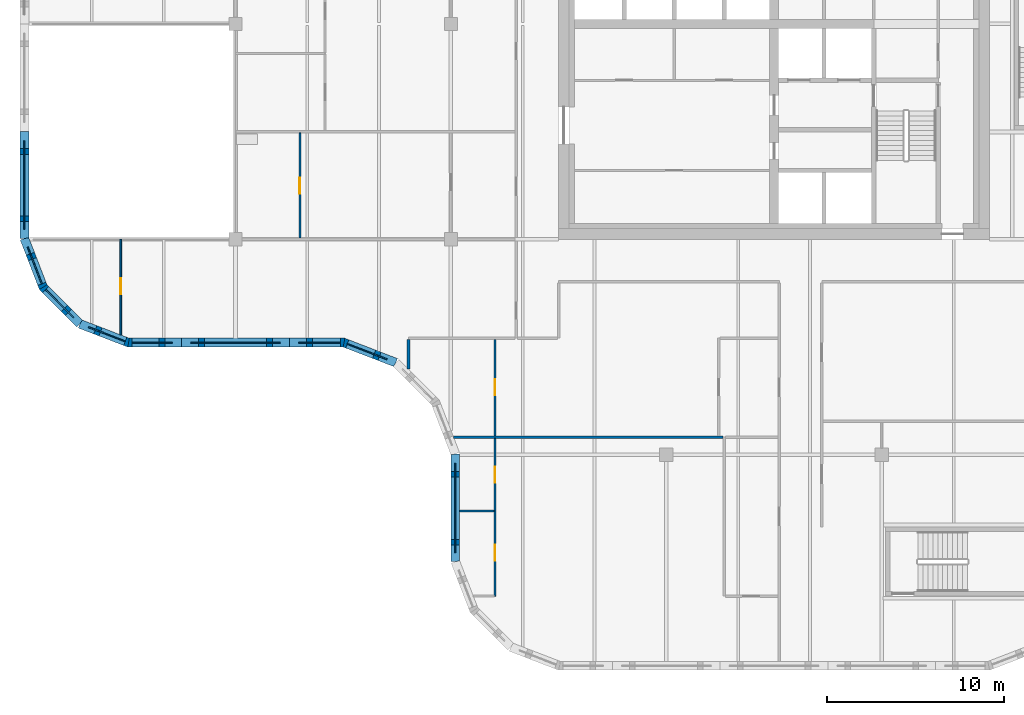
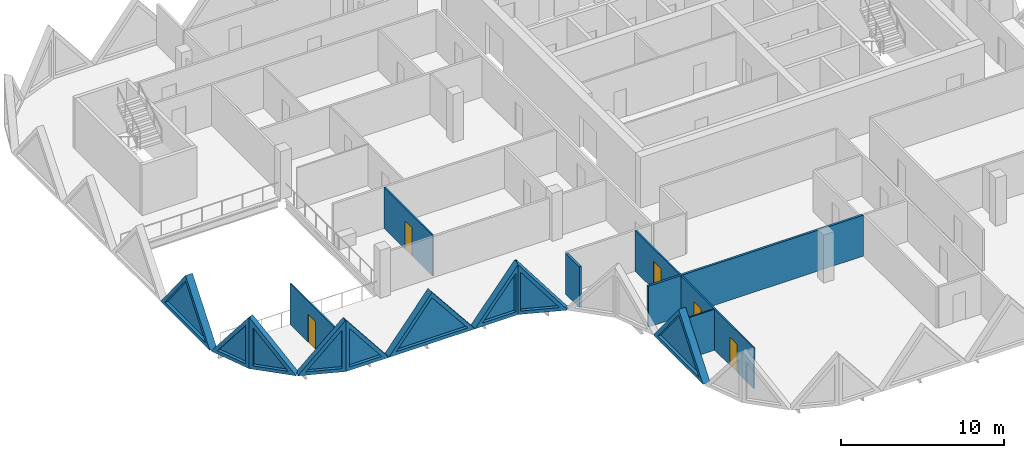
# One storey, part 3 of 12: 16 walls, 9 plates, 5 doors, 14 openings.
"""IFC4 building model written with IfcOpenShell, lengths in metres."""

import ifcopenshell
import ifcopenshell.guid

model = None  # the IFC model being written
_history = None  # IfcOwnerHistory: only IFC2X3 demands one
_inside = {}  # id of a spatial element -> (the spatial element, [elements in it])
_under = {}  # id of a project, library or spatial element -> (it, [spatial elements below it])
_declared = {}  # id of a project -> (the project, [libraries it declares])
_typed = {}  # id of a type object -> (the type object, [elements of that type])
_made_of = {}  # id of a material, layer set ... -> (it, [elements and type objects made of it])


def new_model(schema):
    """Start an empty IFC model of exactly this schema.

    Asked for "IFC4X3", IfcOpenShell would pick the latest addendum, in which some entities
    have other attributes; the version numbers below select the first issue.
    IFC2X3 requires an IfcOwnerHistory on every rooted entity: one is made here for all.
    """
    global model, _history
    if schema == "IFC4X3":
        model = ifcopenshell.file(schema_version=(4, 3, 0, 0))
    else:
        model = ifcopenshell.file(schema=schema)
    _inside.clear()
    _under.clear()
    _declared.clear()
    _typed.clear()
    _made_of.clear()
    _history = None
    if model.schema == "IFC2X3":
        org = make("IfcOrganization", Name="unknown")
        user = make(
            "IfcPersonAndOrganization",
            ThePerson=make("IfcPerson", FamilyName="unknown"),
            TheOrganization=org,
        )
        app = make(
            "IfcApplication",
            ApplicationDeveloper=org,
            Version="unknown",
            ApplicationFullName="unknown",
            ApplicationIdentifier="unknown",
        )
        _history = make(
            "IfcOwnerHistory",
            OwningUser=user,
            OwningApplication=app,
            ChangeAction="ADDED",
            CreationDate=0,
        )
    return model


def make(cls, **values):
    """One entity of the class cls with the attributes given. An attribute that is None is left unset."""
    return model.create_entity(
        cls, **{name: value for name, value in values.items() if value is not None}
    )


def rooted(cls, **values):
    """An entity with a GlobalId (a new one), such as an element, a storey or a relation."""
    return make(cls, GlobalId=ifcopenshell.guid.new(), OwnerHistory=_history, **values)


def si_unit(unit_type, name, prefix=None):
    """IfcSIUnit, for example si_unit("LENGTHUNIT", "METRE", prefix="MILLI")."""
    return make("IfcSIUnit", UnitType=unit_type, Prefix=prefix, Name=name)


def assignment(units):
    """IfcUnitAssignment: the units of a project."""
    return None if units is None else make("IfcUnitAssignment", Units=units)


def point(xyz):
    """IfcCartesianPoint."""
    return None if xyz is None else make("IfcCartesianPoint", Coordinates=xyz)


def direction(xyz):
    """IfcDirection."""
    return None if xyz is None else make("IfcDirection", DirectionRatios=xyz)


def frame(location, z_axis=None, x_axis=None):
    """IfcAxis2Placement3D, a coordinate frame: its origin and axes. An axis left out is left unset."""
    return make(
        "IfcAxis2Placement3D",
        Location=point(location),
        Axis=direction(z_axis),
        RefDirection=direction(x_axis),
    )


def frame_2d(location, x_axis=None):
    """IfcAxis2Placement2D, a coordinate frame in the plane: its origin and x axis."""
    return make(
        "IfcAxis2Placement2D", Location=point(location), RefDirection=direction(x_axis)
    )


def origin():
    """The frame at (0, 0, 0) with its axes left unset."""
    return frame((0.0, 0.0, 0.0))


def place(relative_to, where):
    """IfcLocalPlacement: puts the frame where relative to a parent placement (None: the world)."""
    return make(
        "IfcLocalPlacement", PlacementRelTo=relative_to, RelativePlacement=where
    )


def context(
    kind, dimensions, precision=None, world=None, true_north=None, identifier=None
):
    """IfcGeometricRepresentationContext, for example the 3D "Model" context."""
    return make(
        "IfcGeometricRepresentationContext",
        ContextIdentifier=identifier,
        ContextType=kind,
        CoordinateSpaceDimension=dimensions,
        Precision=precision,
        WorldCoordinateSystem=world,
        TrueNorth=true_north,
    )


def subcontext(parent, identifier, kind, view, scale=None):
    """IfcGeometricRepresentationSubContext, for example "Body" below "Model"."""
    return make(
        "IfcGeometricRepresentationSubContext",
        ContextIdentifier=identifier,
        ContextType=kind,
        ParentContext=parent,
        TargetScale=scale,
        TargetView=view,
    )


def project(units=None, contexts=None):
    """IfcProject with its units and contexts."""
    return rooted(
        "IfcProject",
        Name="project",
        RepresentationContexts=contexts,
        UnitsInContext=assignment(units),
    )


def spatial(cls, under=None, at=None, **own):
    """A site, building, storey or space (cls), placed at a placement, below another one or the project."""
    s = rooted(cls, ObjectPlacement=at, **own)
    if under is not None:
        _under.setdefault(under.id(), (under, []))[1].append(s)
    return s


def polyline(points):
    """IfcPolyline through the points."""
    return make("IfcPolyline", Points=[point(p) for p in points])


def profile(cls, at=None, kind="AREA", **sizes):
    """A parametric profile (cls). Its sizes go by their IFC names, for example OverallWidth=200.0."""
    return make(cls, ProfileType=kind, Position=at, **sizes)


def rectangle(**sizes):
    """IfcRectangleProfileDef."""
    return profile("IfcRectangleProfileDef", **sizes)


def outline(outer, holes=None, kind="AREA"):
    """IfcArbitraryClosedProfileDef: a profile drawn as a closed curve; with holes, ...WithVoids."""
    if holes is None:
        return make("IfcArbitraryClosedProfileDef", ProfileType=kind, OuterCurve=outer)
    return make(
        "IfcArbitraryProfileDefWithVoids",
        ProfileType=kind,
        OuterCurve=outer,
        InnerCurves=holes,
    )


def extrude(swept, where, along, depth):
    """IfcExtrudedAreaSolid: the profile swept, set in the frame where, extruded along a direction by depth."""
    return make(
        "IfcExtrudedAreaSolid",
        SweptArea=swept,
        Position=where,
        ExtrudedDirection=direction(along),
        Depth=depth,
    )


def faces_of(points, faces, orient=None, outer=None):
    """IfcFace entities. A face is a list of loops; a loop is a list of indices into points, from 0.

    orient and outer hold one flag for each loop. By default every Orientation is true, the
    first loop of a face is its IfcFaceOuterBound and the others are IfcFaceBound.
    """
    made = []
    for i, loops in enumerate(faces):
        bounds = []
        for j, loop in enumerate(loops):
            is_outer = j == 0 if outer is None else outer[i][j]
            bounds.append(
                make(
                    "IfcFaceOuterBound" if is_outer else "IfcFaceBound",
                    Bound=make("IfcPolyLoop", Polygon=[points[k] for k in loop]),
                    Orientation=True if orient is None else orient[i][j],
                )
            )
        made.append(make("IfcFace", Bounds=bounds))
    return made


def faceted_brep(points, faces, orient=None, outer=None, voids=None):
    """IfcFacetedBrep: a solid bounded by flat faces; with voids (closed shells), ...WithVoids."""
    shared = [point(p) for p in points]
    hull = make("IfcClosedShell", CfsFaces=faces_of(shared, faces, orient, outer))
    if voids is None:
        return make("IfcFacetedBrep", Outer=hull)
    return make(
        "IfcFacetedBrepWithVoids",
        Outer=hull,
        Voids=[
            make(cls, CfsFaces=faces_of(shared, fs, o, b)) for cls, fs, o, b in voids
        ],
    )


def shape(context_of_items, identifier, shape_type, items):
    """IfcShapeRepresentation: the items that make up one representation, for example the "Body"."""
    return make(
        "IfcShapeRepresentation",
        ContextOfItems=context_of_items,
        RepresentationIdentifier=identifier,
        RepresentationType=shape_type,
        Items=items,
    )


def source(mapping_origin, context_of_items, identifier, shape_type, items):
    """IfcRepresentationMap: a shape defined once, which mapped items show again and again."""
    return make(
        "IfcRepresentationMap",
        MappingOrigin=mapping_origin,
        MappedRepresentation=shape(context_of_items, identifier, shape_type, items),
    )


def transform(
    local_origin,
    x_axis=None,
    y_axis=None,
    z_axis=None,
    scale=None,
    scale2=None,
    scale3=None,
    uniform=True,
):
    """IfcCartesianTransformationOperator3D, or its non-uniform kind. x_axis, y_axis, z_axis: its Axis1, 2, 3."""
    if uniform:
        return make(
            "IfcCartesianTransformationOperator3D",
            Axis1=direction(x_axis),
            Axis2=direction(y_axis),
            LocalOrigin=point(local_origin),
            Scale=scale,
            Axis3=direction(z_axis),
        )
    return make(
        "IfcCartesianTransformationOperator3DnonUniform",
        Axis1=direction(x_axis),
        Axis2=direction(y_axis),
        LocalOrigin=point(local_origin),
        Scale=scale,
        Axis3=direction(z_axis),
        Scale2=scale2,
        Scale3=scale3,
    )


def mapped(mapping_source, mapping_target):
    """IfcMappedItem: shows the shape of a source again, moved by a transform."""
    return make(
        "IfcMappedItem", MappingSource=mapping_source, MappingTarget=mapping_target
    )


def material(Name=None, Category=None):
    """IfcMaterial."""
    return make("IfcMaterial", Name=Name, Category=Category)


def layer(
    of_material, thickness, ventilated=None, Name=None, Category=None, Priority=None
):
    """IfcMaterialLayer: one layer of a wall or slab, of a material (None: an air gap)."""
    return make(
        "IfcMaterialLayer",
        Material=of_material,
        LayerThickness=thickness,
        IsVentilated=ventilated,
        Name=Name,
        Category=Category,
        Priority=Priority,
    )


def layer_set(layers, Name=None):
    """IfcMaterialLayerSet."""
    return make("IfcMaterialLayerSet", MaterialLayers=layers, LayerSetName=Name)


def made_of(thing, what):
    """Note that an element or type object is made of a material, layer set ...; save() writes the relation."""
    if what is not None:
        _made_of.setdefault(what.id(), (what, []))[1].append(thing)
    return thing


def type_object(cls, material=None, **own):
    """A type object (cls), such as IfcWallType, which elements share."""
    return made_of(rooted(cls, **own), material)


def element(
    cls,
    number,
    at=None,
    inside=None,
    cuts=None,
    type_object=None,
    material=None,
    context=None,
    identifier="Body",
    shape_type=None,
    held_by="IfcProductDefinitionShape",
    body=None,
    shapes=None,
    **own,
):
    """One element of the class cls, such as IfcWall. Its Tag is "e" and its number.

    at: its placement. inside: the storey or other place that contains it. cuts: it is an
    opening in that element (IfcRelVoidsElement). A single representation is given by context,
    identifier, shape_type and body (its items); several are given by shapes. held_by: the class
    of the entity that holds the representations. save() writes the other relations.
    """
    e = rooted(cls, Tag="e%d" % number, ObjectPlacement=at, **own)
    if body is not None:
        shapes = [shape(context, identifier, shape_type, body)]
    if shapes is not None:
        e.Representation = make(held_by, Representations=shapes)
    if inside is not None:
        _inside.setdefault(inside.id(), (inside, []))[1].append(e)
    if cuts is not None:
        rooted(
            "IfcRelVoidsElement", RelatingBuildingElement=cuts, RelatedOpeningElement=e
        )
    if type_object is not None:
        _typed.setdefault(type_object.id(), (type_object, []))[1].append(e)
    return made_of(e, material)


def fill(opening, filler):
    """IfcRelFillsElement: the door or window that sits in an opening."""
    return rooted(
        "IfcRelFillsElement",
        RelatingOpeningElement=opening,
        RelatedBuildingElement=filler,
    )


def aggregate(whole, parts):
    """IfcRelAggregates: a whole, such as a stair, and the parts it consists of."""
    return rooted("IfcRelAggregates", RelatingObject=whole, RelatedObjects=parts)


def save(model, path):
    """Write the relations noted so far, then the file.

    IfcRelAggregates (storeys below a building ...), IfcRelContainedInSpatialStructure (elements
    in a storey), IfcRelDefinesByType, IfcRelAssociatesMaterial and IfcRelDeclares: one each for
    every whole, place, type object, material and project.
    """
    for whole, parts in _under.values():
        aggregate(whole, parts)
    for where, things in _inside.values():
        rooted(
            "IfcRelContainedInSpatialStructure",
            RelatedElements=things,
            RelatingStructure=where,
        )
    for kind, things in _typed.values():
        rooted("IfcRelDefinesByType", RelatedObjects=things, RelatingType=kind)
    for what, things in _made_of.values():
        rooted("IfcRelAssociatesMaterial", RelatedObjects=things, RelatingMaterial=what)
    for by, libraries in _declared.values():
        rooted("IfcRelDeclares", RelatingContext=by, RelatedDefinitions=libraries)
    model.write(path)


model = new_model("IFC4")

# Units and contexts
model_context = context("Model", 3, precision=1e-05, world=origin(), true_north=direction((0.0, 1.0)))
body_context = subcontext(model_context, "Body", "Model", "MODEL_VIEW")
ifc_project = project(units=[si_unit("LENGTHUNIT", "METRE"), si_unit("AREAUNIT", "SQUARE_METRE"), si_unit("VOLUMEUNIT", "CUBIC_METRE"), si_unit("PLANEANGLEUNIT", "RADIAN"), si_unit("MASSUNIT", "GRAM", prefix="KILO")], contexts=[model_context])

# Site, building, storey
site_placement = place(None, origin())
site = spatial("IfcSite", under=ifc_project, at=site_placement, CompositionType="ELEMENT")
building_placement = place(site_placement, origin())
building = spatial("IfcBuilding", under=site, at=building_placement, Name="Tessera Gate Towers", CompositionType="ELEMENT")
storey_placement = place(building_placement, frame((0.0, 0.0, 155.39990234375)))
storey = spatial("IfcBuildingStorey", under=building, at=storey_placement, Name="L38", CompositionType="ELEMENT", Elevation=155.39990234375)

# Wall, opening, door
ifc_material_1 = material(Name="Glass", Category="glass")
ifc_layer_1 = layer(ifc_material_1, 0.10009765625)
ifc_layer_set_1 = layer_set([ifc_layer_1], Name="GLAZED PARTITION 100")
wall_type_1 = type_object("IfcWallType", Name="GLAZED PARTITION 100", PredefinedType="PARTITIONING", material=ifc_layer_set_1)
wall_1_placement = place(storey_placement, frame((5.699951171875, 18.990234375, 0.0), z_axis=(0.0, 0.0, 1.0), x_axis=(0.0, 1.0, 0.0)))
wall_1 = element("IfcWall", 1, at=wall_1_placement, inside=storey, type_object=wall_type_1, Name="T1-L38-PW-021", PredefinedType="PARTITIONING", context=body_context, shape_type="SweptSolid", body=[
    extrude(rectangle(XDim=5.40966796875, YDim=0.10009765625, at=frame_2d((2.704833984375, 0.0))), origin(), (0.0, 0.0, 1.0), 3.067138671875),
])
shared_shape_1 = source(origin(), body_context, "Body", "SweptSolid", [
    extrude(rectangle(XDim=0.89990234375, YDim=2.10009765625, at=frame_2d((0.449951171875, 1.050048828125))), frame((0.0, 0.06005859375, 0.0), z_axis=(0.0, -1.0, 0.0), x_axis=(1.0, 0.0, 0.0)), (0.0, 0.0, 1.0), 0.1201171875),
])
opening_1_placement = place(wall_1_placement, frame((2.300048828125, 0.0, 0.0)))
opening_1 = element("IfcOpeningElement", 2, at=opening_1_placement, cuts=wall_1, Name="Opening D690-A14-01", PredefinedType="OPENING", context=body_context, shape_type="MappedRepresentation", body=[
    mapped(shared_shape_1, transform((0.0, 0.0, 0.0), scale=1.0)),
])
ifc_material_2 = material(Name="Glass in aluminium frame", Category="aluminium")
door_type_1 = type_object("IfcDoorType", Name="GLAZED DOOR 900 NOT RATED", OperationType="NOTDEFINED", PredefinedType="DOOR", material=ifc_material_2)
shared_shape_2 = source(origin(), body_context, "Body", "SweptSolid", [
    extrude(rectangle(XDim=0.89990234375, YDim=2.10009765625, at=frame_2d((0.449951171875, 1.050048828125))), frame((0.0, 0.02490234375, 0.0), z_axis=(0.0, -1.0, 0.0), x_axis=(1.0, 0.0, 0.0)), (0.0, 0.0, 1.0), 0.050048828125),
])
door_1_placement = place(opening_1_placement, origin())
door_1 = element("IfcDoor", 3, at=door_1_placement, inside=storey, type_object=door_type_1, Name="T1-L38-PD-006", OperationType="SINGLE_SWING_LEFT", OverallHeight=2.10009765625, OverallWidth=0.89990234375, PredefinedType="DOOR", context=body_context, shape_type="MappedRepresentation", body=[
    mapped(shared_shape_2, transform((0.0, 0.0, 0.0), scale=1.0)),
])
fill(opening_1, door_1)

# Wall, openings, doors
ifc_material_3 = material(Name="Gypsum board on steel studs", Category="steel")
ifc_layer_2 = layer(ifc_material_3, 0.10009765625)
ifc_layer_set_2 = layer_set([ifc_layer_2], Name="PARTITION 100")
wall_type_2 = type_object("IfcWallType", Name="PARTITION 100", PredefinedType="PARTITIONING", material=ifc_layer_set_2)
wall_2_placement = place(storey_placement, frame((26.89990234375, 4.199951171875, 0.0), z_axis=(0.0, 0.0, 1.0), x_axis=(0.0, 1.0, 0.0)))
wall_2 = element("IfcWall", 4, at=wall_2_placement, inside=storey, type_object=wall_type_2, Name="T1-L38-PW-004", PredefinedType="PARTITIONING", context=body_context, shape_type="SweptSolid", body=[
    extrude(rectangle(XDim=8.924072265625, YDim=0.10009765625, at=frame_2d((4.4619140625, 0.0))), origin(), (0.0, 0.0, 1.0), 3.067138671875),
])
opening_2_placement = place(wall_2_placement, frame((6.416015625, 0.0, 0.0)))
opening_2 = element("IfcOpeningElement", 5, at=opening_2_placement, cuts=wall_2, Name="Opening D190-A14-01", PredefinedType="OPENING", context=body_context, shape_type="MappedRepresentation", body=[
    mapped(shared_shape_1, transform((0.0, 0.0, 0.0), scale=1.0)),
])
opening_3_placement = place(wall_2_placement, frame((2.0, 0.0, 0.0)))
opening_3 = element("IfcOpeningElement", 6, at=opening_3_placement, cuts=wall_2, Name="Opening D190-A14-09", PredefinedType="OPENING", context=body_context, shape_type="MappedRepresentation", body=[
    mapped(shared_shape_1, transform((0.0, 0.0, 0.0), scale=1.0)),
])
ifc_material_4 = material(Name="Timber door leaf in steel frame", Category="steel")
door_type_2 = type_object("IfcDoorType", Name="INTERNAL DOOR 900 NOT RATED", OperationType="NOTDEFINED", PredefinedType="DOOR", material=ifc_material_4)
door_2_placement = place(opening_2_placement, origin())
door_2 = element("IfcDoor", 7, at=door_2_placement, inside=storey, type_object=door_type_2, Name="T1-L38-PD-002", OperationType="SINGLE_SWING_LEFT", OverallHeight=2.10009765625, OverallWidth=0.89990234375, PredefinedType="DOOR", context=body_context, shape_type="MappedRepresentation", body=[
    mapped(shared_shape_2, transform((0.0, 0.0, 0.0), scale=1.0)),
])
fill(opening_2, door_2)
door_3_placement = place(opening_3_placement, origin())
door_3 = element("IfcDoor", 8, at=door_3_placement, inside=storey, type_object=door_type_2, Name="T1-L38-PD-014", OperationType="SINGLE_SWING_LEFT", OverallHeight=2.10009765625, OverallWidth=0.89990234375, PredefinedType="DOOR", context=body_context, shape_type="MappedRepresentation", body=[
    mapped(shared_shape_2, transform((0.0, 0.0, 0.0), scale=1.0)),
])
fill(opening_3, door_3)

# Wall
wall_3_placement = place(storey_placement, frame((24.89990234375, 9.014892578125, 0.0), z_axis=(0.0, 0.0, 1.0), x_axis=(1.0, 0.0, 0.0)))
element("IfcWall", 9, at=wall_3_placement, inside=storey, type_object=wall_type_2, Name="T1-L38-PW-008", PredefinedType="PARTITIONING", context=body_context, shape_type="SweptSolid", body=[
    extrude(rectangle(XDim=1.94921875, YDim=0.10009765625, at=frame_2d((0.974609375, 0.0))), origin(), (0.0, 0.0, 1.0), 3.067138671875),
])

# Wall, opening, door
wall_4_placement = place(storey_placement, frame((26.89990234375, 13.27587890625, 0.0), z_axis=(0.0, 0.0, 1.0), x_axis=(0.0, 1.0, 0.0)))
wall_4 = element("IfcWall", 10, at=wall_4_placement, inside=storey, type_object=wall_type_2, Name="T1-L38-PW-012", PredefinedType="PARTITIONING", context=body_context, shape_type="SweptSolid", body=[
    extrude(rectangle(XDim=5.4482421875, YDim=0.10009765625, at=frame_2d((2.72412109375, 0.0))), origin(), (0.0, 0.0, 1.0), 3.067138671875),
])
opening_4_placement = place(wall_4_placement, frame((2.300048828125, 0.0, 0.0)))
opening_4 = element("IfcOpeningElement", 11, at=opening_4_placement, cuts=wall_4, Name="Opening D190-A14-04", PredefinedType="OPENING", context=body_context, shape_type="MappedRepresentation", body=[
    mapped(shared_shape_1, transform((0.0, 0.0, 0.0), scale=1.0)),
])
door_4_placement = place(opening_4_placement, origin())
door_4 = element("IfcDoor", 12, at=door_4_placement, inside=storey, type_object=door_type_2, Name="T1-L38-PD-007", OperationType="SINGLE_SWING_LEFT", OverallHeight=2.10009765625, OverallWidth=0.89990234375, PredefinedType="DOOR", context=body_context, shape_type="MappedRepresentation", body=[
    mapped(shared_shape_2, transform((0.0, 0.0, 0.0), scale=1.0)),
])
fill(opening_4, door_4)

wall_5_placement = place(storey_placement, frame((15.85009765625, 24.47607421875, 0.0), z_axis=(0.0, 0.0, 1.0), x_axis=(0.0, 1.0, 0.0)))
wall_5 = element("IfcWall", 13, at=wall_5_placement, inside=storey, type_object=wall_type_2, Name="T1-L38-PW-028", PredefinedType="PARTITIONING", context=body_context, shape_type="SweptSolid", body=[
    extrude(rectangle(XDim=5.947998046875, YDim=0.10009765625, at=frame_2d((2.97412109375, 0.0))), origin(), (0.0, 0.0, 1.0), 3.067138671875),
])
opening_5_placement = place(wall_5_placement, frame((2.5, 0.0, 0.0)))
opening_5 = element("IfcOpeningElement", 14, at=opening_5_placement, cuts=wall_5, Name="Opening D190-A14-08", PredefinedType="OPENING", context=body_context, shape_type="MappedRepresentation", body=[
    mapped(shared_shape_1, transform((0.0, 0.0, 0.0), scale=1.0)),
])
door_5_placement = place(opening_5_placement, origin())
door_5 = element("IfcDoor", 15, at=door_5_placement, inside=storey, type_object=door_type_2, Name="T1-L38-PD-013", OperationType="SINGLE_SWING_LEFT", OverallHeight=2.10009765625, OverallWidth=0.89990234375, PredefinedType="DOOR", context=body_context, shape_type="MappedRepresentation", body=[
    mapped(shared_shape_2, transform((0.0, 0.0, 0.0), scale=1.0)),
])
fill(opening_5, door_5)

# Walls
ifc_material_5 = material(Name="Gypsum board on steel studs, mineral wool", Category="steel")
ifc_layer_3 = layer(ifc_material_5, 0.14990234375)
ifc_layer_set_3 = layer_set([ifc_layer_3], Name="TENANCY WALL 150")
wall_type_3 = type_object("IfcWallType", Name="TENANCY WALL 150", PredefinedType="PARTITIONING", material=ifc_layer_set_3)
wall_6_placement = place(storey_placement, frame((24.55029296875, 13.199951171875, 0.0), z_axis=(0.0, 0.0, 1.0), x_axis=(1.0, 0.0, 0.0)))
element("IfcWall", 16, at=wall_6_placement, inside=storey, type_object=wall_type_3, Name="T1-L38-PW-010", PredefinedType="PARTITIONING", context=body_context, shape_type="SweptSolid", body=[
    extrude(rectangle(XDim=15.248779296875, YDim=0.14990234375, at=frame_2d((7.62451171875, 0.0))), origin(), (0.0, 0.0, 1.0), 3.067138671875),
])
wall_7_placement = place(storey_placement, frame((22.0, 17.054931640625, 0.0), z_axis=(0.0, 0.0, 1.0), x_axis=(0.0, 1.0, 0.0)))
element("IfcWall", 17, at=wall_7_placement, inside=storey, type_object=wall_type_3, Name="T1-L38-PW-015", PredefinedType="PARTITIONING", context=body_context, shape_type="SweptSolid", body=[
    extrude(rectangle(XDim=1.669189453125, YDim=0.14990234375, at=frame_2d((0.83447265625, 0.0))), origin(), (0.0, 0.0, 1.0), 3.067138671875),
])

# Wall, opening, plate
ifc_material_6 = material(Name="Precast concrete C60/75 white", Category="concrete")
ifc_layer_4 = layer(ifc_material_6, 0.5)
ifc_layer_set_4 = layer_set([ifc_layer_4], Name="TS3 corner tessera")
wall_type_4 = type_object("IfcWallType", Name="TS3 corner tessera", PredefinedType="SOLIDWALL", material=ifc_layer_set_4)
shared_shape_3 = source(origin(), body_context, "Body", "Brep", [
    faceted_brep([(3.050048828125, -0.25, 0.0), (0.046630859375, -0.25, 3.800048828125), (0.0, -0.25, 3.739990234375), (0.0, -0.25, 0.0), (0.09326171875, 0.25, 3.7412109375), (3.050048828125, 0.25, 0.0), (0.09326171875, 0.25, 0.0), (0.046630859375, 0.0, 3.800048828125)], [[[0, 1, 2, 3]], [[4, 5, 6]], [[5, 4, 7, 1, 0]], [[2, 1, 7]], [[6, 5, 0, 3]], [[6, 3, 2, 7, 4]]]),
])
wall_8_placement = place(storey_placement, frame((6.099853515625, 18.550048828125, 0.0), z_axis=(0.0, 0.0, 1.0), x_axis=(1.0, 0.0, 0.0)))
wall_8 = element("IfcWall", 18, at=wall_8_placement, inside=storey, type_object=wall_type_4, Name="Precast corner tessera T1 TS3-0882", PredefinedType="SOLIDWALL", context=body_context, shape_type="MappedRepresentation", body=[
    mapped(shared_shape_3, transform((0.0, 0.0, 0.0), scale=1.0)),
])
shared_shape_4 = source(origin(), body_context, "Body", "SweptSolid", [
    extrude(outline(polyline([(2.533935546875, 0.25), (0.24658203125, 3.143798828125), (0.24658203125, 0.25), (2.533935546875, 0.25)])), frame((0.0, 0.260009765625, 0.0), z_axis=(0.0, -1.0, 0.0), x_axis=(1.0, 0.0, 0.0)), (0.0, 0.0, 1.0), 0.52001953125),
])
opening_6_placement = place(wall_8_placement, origin())
opening_6 = element("IfcOpeningElement", 19, at=opening_6_placement, cuts=wall_8, Name="Opening T1-PL1-0414", PredefinedType="OPENING", context=body_context, shape_type="MappedRepresentation", body=[
    mapped(shared_shape_4, transform((0.0, 0.0, 0.0), scale=1.0)),
])
ifc_material_7 = material(Name="Low-e laminated glass", Category="glass")
ifc_layer_5 = layer(ifc_material_7, 0.06005859375)
ifc_layer_set_5 = layer_set([ifc_layer_5], Name="PL1 triangular pane")
plate_type = type_object("IfcPlateType", Name="PL1 triangular pane", PredefinedType="SHEET", material=ifc_layer_set_5)
shared_shape_5 = source(origin(), body_context, "Body", "SweptSolid", [
    extrude(outline(polyline([(2.533935546875, 0.25), (0.24658203125, 3.143798828125), (0.24658203125, 0.25), (2.533935546875, 0.25)])), frame((0.0, 0.030029296875, 0.0), z_axis=(0.0, -1.0, 0.0), x_axis=(1.0, 0.0, 0.0)), (0.0, 0.0, 1.0), 0.06005859375),
])
plate_1_placement = place(opening_6_placement, origin())
plate_1 = element("IfcPlate", 20, at=plate_1_placement, inside=storey, type_object=plate_type, Name="Glass pane T1 PL1-0414", PredefinedType="SHEET", context=body_context, shape_type="MappedRepresentation", body=[
    mapped(shared_shape_5, transform((0.0, 0.0, 0.0), scale=1.0)),
])
fill(opening_6, plate_1)

ifc_material_8 = material(Name="Precast concrete C60/75 white", Category="concrete")
ifc_layer_6 = layer(ifc_material_8, 0.5)
ifc_layer_set_6 = layer_set([ifc_layer_6], Name="TS2 half tessera")
wall_type_5 = type_object("IfcWallType", Name="TS2 half tessera", PredefinedType="SOLIDWALL", material=ifc_layer_set_6)
shared_shape_6 = source(origin(), body_context, "Body", "SweptSolid", [
    extrude(outline(polyline([(6.10009765625, 0.0), (3.050048828125, 3.800048828125), (0.0, 0.0), (6.10009765625, 0.0)])), frame((0.0, 0.25, 0.0), z_axis=(0.0, -1.0, 0.0), x_axis=(1.0, 0.0, 0.0)), (0.0, 0.0, 1.0), 0.5),
])
wall_9_placement = place(storey_placement, frame((9.14990234375, 18.550048828125, 0.0), z_axis=(0.0, 0.0, 1.0), x_axis=(1.0, 0.0, 0.0)))
wall_9 = element("IfcWall", 21, at=wall_9_placement, inside=storey, type_object=wall_type_5, Name="Precast half tessera T1 TS2-0205", PredefinedType="SOLIDWALL", context=body_context, shape_type="MappedRepresentation", body=[
    mapped(shared_shape_6, transform((0.0, 0.0, 0.0), scale=1.0)),
])
shared_shape_7 = source(origin(), body_context, "Body", "SweptSolid", [
    extrude(outline(polyline([(5.578857421875, 0.25), (3.050048828125, 3.400634765625), (0.521240234375, 0.25), (5.578857421875, 0.25)])), frame((0.0, 0.260009765625, 0.0), z_axis=(0.0, -1.0, 0.0), x_axis=(1.0, 0.0, 0.0)), (0.0, 0.0, 1.0), 0.52001953125),
])
opening_7_placement = place(wall_9_placement, origin())
opening_7 = element("IfcOpeningElement", 22, at=opening_7_placement, cuts=wall_9, Name="Opening T1-PL1-0415", PredefinedType="OPENING", context=body_context, shape_type="MappedRepresentation", body=[
    mapped(shared_shape_7, transform((0.0, 0.0, 0.0), scale=1.0)),
])
shared_shape_8 = source(origin(), body_context, "Body", "SweptSolid", [
    extrude(outline(polyline([(5.578857421875, 0.25), (3.050048828125, 3.400634765625), (0.521240234375, 0.25), (5.578857421875, 0.25)])), frame((0.0, 0.030029296875, 0.0), z_axis=(0.0, -1.0, 0.0), x_axis=(1.0, 0.0, 0.0)), (0.0, 0.0, 1.0), 0.06005859375),
])
plate_2_placement = place(opening_7_placement, origin())
plate_2 = element("IfcPlate", 23, at=plate_2_placement, inside=storey, type_object=plate_type, Name="Glass pane T1 PL1-0415", PredefinedType="SHEET", context=body_context, shape_type="MappedRepresentation", body=[
    mapped(shared_shape_8, transform((0.0, 0.0, 0.0), scale=1.0)),
])
fill(opening_7, plate_2)

shared_shape_9 = source(origin(), body_context, "Body", "Brep", [
    faceted_brep([(6.053466796875, -0.25, 0.0), (3.050048828125, -0.25, 3.800048828125), (0.0, -0.25, 0.0), (0.0, 0.25, 0.0), (3.050048828125, 0.25, 3.800048828125), (6.0068359375, 0.25, 0.058837890625), (6.0068359375, 0.25, 0.0), (6.053466796875, 0.0, 0.0)], [[[0, 1, 2]], [[3, 4, 5, 6]], [[5, 4, 1, 0, 7]], [[4, 3, 2, 1]], [[3, 6, 7, 0, 2]], [[7, 6, 5]]]),
])
wall_10_placement = place(storey_placement, frame((0.25, 30.5, 0.0), z_axis=(0.0, 0.0, 1.0), x_axis=(0.0, -1.0, 0.0)))
wall_10 = element("IfcWall", 24, at=wall_10_placement, inside=storey, type_object=wall_type_5, Name="Precast half tessera T1 TS2-0204", PredefinedType="SOLIDWALL", context=body_context, shape_type="MappedRepresentation", body=[
    mapped(shared_shape_9, transform((0.0, 0.0, 0.0), scale=1.0)),
])
shared_shape_10 = source(origin(), body_context, "Body", "SweptSolid", [
    extrude(outline(polyline([(5.537109375, 0.25), (3.048583984375, 3.39892578125), (0.521240234375, 0.25), (5.537109375, 0.25)])), frame((0.0, 0.260009765625, 0.0), z_axis=(0.0, -1.0, 0.0), x_axis=(1.0, 0.0, 0.0)), (0.0, 0.0, 1.0), 0.52001953125),
])
opening_8_placement = place(wall_10_placement, origin())
opening_8 = element("IfcOpeningElement", 25, at=opening_8_placement, cuts=wall_10, Name="Opening T1-PL1-0410", PredefinedType="OPENING", context=body_context, shape_type="MappedRepresentation", body=[
    mapped(shared_shape_10, transform((0.0, 0.0, 0.0), scale=1.0)),
])
shared_shape_11 = source(origin(), body_context, "Body", "SweptSolid", [
    extrude(outline(polyline([(5.537109375, 0.25), (3.048583984375, 3.39892578125), (0.521240234375, 0.25), (5.537109375, 0.25)])), frame((0.0, 0.030029296875, 0.0), z_axis=(0.0, -1.0, 0.0), x_axis=(1.0, 0.0, 0.0)), (0.0, 0.0, 1.0), 0.06005859375),
])
plate_3_placement = place(opening_8_placement, origin())
plate_3 = element("IfcPlate", 26, at=plate_3_placement, inside=storey, type_object=plate_type, Name="Glass pane T1 PL1-0410", PredefinedType="SHEET", context=body_context, shape_type="MappedRepresentation", body=[
    mapped(shared_shape_11, transform((0.0, 0.0, 0.0), scale=1.0)),
])
fill(opening_8, plate_3)

shared_shape_12 = source(origin(), body_context, "Body", "Brep", [
    faceted_brep([(3.00341796875, -0.25, 3.731689453125), (2.950439453125, -0.25, 3.800048828125), (0.0, -0.25, 0.0), (3.00341796875, -0.25, 0.0), (0.046630859375, 0.25, 0.06005859375), (2.897705078125, 0.25, 3.73193359375), (2.897705078125, 0.25, 0.0), (0.046630859375, 0.25, 0.0), (2.950439453125, 0.00048828125, 3.800048828125), (0.0, 0.0, 0.0)], [[[0, 1, 2, 3]], [[4, 5, 6, 7]], [[8, 1, 0]], [[5, 4, 9, 2, 1, 8]], [[7, 6, 3, 2, 9]], [[7, 9, 4]], [[3, 6, 5, 8, 0]]]),
])
wall_11_placement = place(storey_placement, frame((0.25, 24.446533203125, 0.0), z_axis=(0.0, 0.0, 1.0), x_axis=(0.35992665181, -0.932980602862, 0.0)))
wall_11 = element("IfcWall", 27, at=wall_11_placement, inside=storey, type_object=wall_type_4, Name="Precast corner tessera T1 TS3-0879", PredefinedType="SOLIDWALL", context=body_context, shape_type="MappedRepresentation", body=[
    mapped(shared_shape_12, transform((0.0, 0.0, 0.0), scale=1.0)),
])
shared_shape_13 = source(origin(), body_context, "Body", "SweptSolid", [
    extrude(outline(polyline([(2.75048828125, 3.134765625), (0.5107421875, 0.25), (2.75048828125, 0.25), (2.75048828125, 3.134765625)])), frame((0.0, 0.260009765625, 0.0), z_axis=(0.0, -1.0, 0.0), x_axis=(1.0, 0.0, 0.0)), (0.0, 0.0, 1.0), 0.52001953125),
])
opening_9_placement = place(wall_11_placement, origin())
opening_9 = element("IfcOpeningElement", 28, at=opening_9_placement, cuts=wall_11, Name="Opening T1-PL1-0411", PredefinedType="OPENING", context=body_context, shape_type="MappedRepresentation", body=[
    mapped(shared_shape_13, transform((0.0, 0.0, 0.0), scale=1.0)),
])
shared_shape_14 = source(origin(), body_context, "Body", "SweptSolid", [
    extrude(outline(polyline([(2.75048828125, 3.134765625), (0.5107421875, 0.25), (2.75048828125, 0.25), (2.75048828125, 3.134765625)])), frame((0.0, 0.030029296875, 0.0), z_axis=(0.0, -1.0, 0.0), x_axis=(1.0, 0.0, 0.0)), (0.0, 0.0, 1.0), 0.06005859375),
])
plate_4_placement = place(opening_9_placement, origin())
plate_4 = element("IfcPlate", 29, at=plate_4_placement, inside=storey, type_object=plate_type, Name="Glass pane T1 PL1-0411", PredefinedType="SHEET", context=body_context, shape_type="MappedRepresentation", body=[
    mapped(shared_shape_14, transform((0.0, 0.0, 0.0), scale=1.0)),
])
fill(opening_9, plate_4)

shared_shape_15 = source(origin(), body_context, "Body", "Brep", [
    faceted_brep([(2.9970703125, -0.25, 3.740966796875), (2.950439453125, -0.25, 3.800048828125), (0.0, -0.25, 0.0), (2.9970703125, -0.25, 0.0), (0.052978515625, 0.25, 0.068115234375), (2.904052734375, 0.25, 3.740234375), (2.904052734375, 0.25, 0.0), (0.052978515625, 0.25, 0.0), (2.950439453125, 0.00048828125, 3.800048828125), (0.0, 0.0, 0.0)], [[[0, 1, 2, 3]], [[4, 5, 6, 7]], [[8, 1, 0]], [[5, 4, 9, 2, 1, 8]], [[7, 6, 3, 2, 9]], [[7, 9, 4]], [[3, 6, 5, 8, 0]]]),
])
wall_12_placement = place(storey_placement, frame((3.393798828125, 19.61181640625, 0.0), z_axis=(0.0, 0.0, 1.0), x_axis=(0.932990326376, -0.359901446078, 0.0)))
wall_12 = element("IfcWall", 30, at=wall_12_placement, inside=storey, type_object=wall_type_4, Name="Precast corner tessera T1 TS3-0881", PredefinedType="SOLIDWALL", context=body_context, shape_type="MappedRepresentation", body=[
    mapped(shared_shape_15, transform((0.0, 0.0, 0.0), scale=1.0)),
])
opening_10_placement = place(wall_12_placement, origin())
opening_10 = element("IfcOpeningElement", 31, at=opening_10_placement, cuts=wall_12, Name="Opening T1-PL1-0413", PredefinedType="OPENING", context=body_context, shape_type="MappedRepresentation", body=[
    mapped(shared_shape_13, transform((0.0, 0.0, 0.0), scale=1.0)),
])
plate_5_placement = place(opening_10_placement, origin())
plate_5 = element("IfcPlate", 32, at=plate_5_placement, inside=storey, type_object=plate_type, Name="Glass pane T1 PL1-0413", PredefinedType="SHEET", context=body_context, shape_type="MappedRepresentation", body=[
    mapped(shared_shape_14, transform((0.0, 0.0, 0.0), scale=1.0)),
])
fill(opening_10, plate_5)

shared_shape_16 = source(origin(), body_context, "Body", "Brep", [
    faceted_brep([(2.9970703125, -0.25, 0.0), (0.052978515625, -0.25, 3.800048828125), (0.0, -0.25, 3.73193359375), (0.0, -0.25, 0.0), (0.10595703125, 0.25, 3.731689453125), (2.944091796875, 0.25, 0.068115234375), (2.944091796875, 0.25, 0.0), (0.10595703125, 0.25, 0.0), (0.052978515625, 0.0, 3.800048828125), (2.9970703125, 0.000244140625, 0.0)], [[[0, 1, 2, 3]], [[4, 5, 6, 7]], [[5, 4, 8, 1, 0, 9]], [[2, 1, 8]], [[7, 6, 9, 0, 3]], [[7, 3, 2, 8, 4]], [[9, 6, 5]]]),
])
wall_13_placement = place(storey_placement, frame((1.2744140625, 21.731201171875, 0.0), z_axis=(0.0, 0.0, 1.0), x_axis=(0.707147509625, -0.707066050402, 0.0)))
wall_13 = element("IfcWall", 33, at=wall_13_placement, inside=storey, type_object=wall_type_4, Name="Precast corner tessera T1 TS3-0880", PredefinedType="SOLIDWALL", context=body_context, shape_type="MappedRepresentation", body=[
    mapped(shared_shape_16, transform((0.0, 0.0, 0.0), scale=1.0)),
])
shared_shape_17 = source(origin(), body_context, "Body", "SweptSolid", [
    extrude(outline(polyline([(2.487060546875, 0.25), (0.2529296875, 3.1337890625), (0.2529296875, 0.25), (2.487060546875, 0.25)])), frame((0.0, 0.260009765625, 0.0), z_axis=(0.0, -1.0, 0.0), x_axis=(1.0, 0.0, 0.0)), (0.0, 0.0, 1.0), 0.52001953125),
])
opening_11_placement = place(wall_13_placement, origin())
opening_11 = element("IfcOpeningElement", 34, at=opening_11_placement, cuts=wall_13, Name="Opening T1-PL1-0412", PredefinedType="OPENING", context=body_context, shape_type="MappedRepresentation", body=[
    mapped(shared_shape_17, transform((0.0, 0.0, 0.0), scale=1.0)),
])
shared_shape_18 = source(origin(), body_context, "Body", "SweptSolid", [
    extrude(outline(polyline([(2.487060546875, 0.25), (0.2529296875, 3.1337890625), (0.2529296875, 0.25), (2.487060546875, 0.25)])), frame((0.0, 0.030029296875, 0.0), z_axis=(0.0, -1.0, 0.0), x_axis=(1.0, 0.0, 0.0)), (0.0, 0.0, 1.0), 0.06005859375),
])
plate_6_placement = place(opening_11_placement, origin())
plate_6 = element("IfcPlate", 35, at=plate_6_placement, inside=storey, type_object=plate_type, Name="Glass pane T1 PL1-0412", PredefinedType="SHEET", context=body_context, shape_type="MappedRepresentation", body=[
    mapped(shared_shape_18, transform((0.0, 0.0, 0.0), scale=1.0)),
])
fill(opening_11, plate_6)

shared_shape_19 = source(origin(), body_context, "Body", "Brep", [
    faceted_brep([(3.050048828125, -0.25, 3.7431640625), (0.0, -0.25, 0.0), (3.050048828125, -0.25, 0.0), (0.0, 0.25, 0.0), (3.096435546875, 0.25, 3.800048828125), (3.14306640625, 0.25, 3.74365234375), (3.14306640625, 0.25, 0.0), (3.096435546875, -0.00048828125, 3.800048828125)], [[[0, 1, 2]], [[3, 4, 5, 6]], [[5, 4, 7]], [[4, 3, 1, 0, 7]], [[3, 6, 2, 1]], [[2, 6, 5, 7, 0]]]),
])
wall_14_placement = place(storey_placement, frame((15.25, 18.550048828125, 0.0), z_axis=(0.0, 0.0, 1.0), x_axis=(1.0, 0.0, 0.0)))
wall_14 = element("IfcWall", 36, at=wall_14_placement, inside=storey, type_object=wall_type_4, Name="Precast corner tessera T1 TS3-0883", PredefinedType="SOLIDWALL", context=body_context, shape_type="MappedRepresentation", body=[
    mapped(shared_shape_19, transform((0.0, 0.0, 0.0), scale=1.0)),
])
shared_shape_20 = source(origin(), body_context, "Body", "SweptSolid", [
    extrude(outline(polyline([(2.896484375, 3.158935546875), (0.526123046875, 0.25), (2.896484375, 0.25), (2.896484375, 3.158935546875)])), frame((0.0, 0.260009765625, 0.0), z_axis=(0.0, -1.0, 0.0), x_axis=(1.0, 0.0, 0.0)), (0.0, 0.0, 1.0), 0.52001953125),
])
opening_12_placement = place(wall_14_placement, origin())
opening_12 = element("IfcOpeningElement", 37, at=opening_12_placement, cuts=wall_14, Name="Opening T1-PL1-0416", PredefinedType="OPENING", context=body_context, shape_type="MappedRepresentation", body=[
    mapped(shared_shape_20, transform((0.0, 0.0, 0.0), scale=1.0)),
])
shared_shape_21 = source(origin(), body_context, "Body", "SweptSolid", [
    extrude(outline(polyline([(2.896484375, 3.158935546875), (0.526123046875, 0.25), (2.896484375, 0.25), (2.896484375, 3.158935546875)])), frame((0.0, 0.030029296875, 0.0), z_axis=(0.0, -1.0, 0.0), x_axis=(1.0, 0.0, 0.0)), (0.0, 0.0, 1.0), 0.06005859375),
])
plate_7_placement = place(opening_12_placement, origin())
plate_7 = element("IfcPlate", 38, at=plate_7_placement, inside=storey, type_object=plate_type, Name="Glass pane T1 PL1-0416", PredefinedType="SHEET", context=body_context, shape_type="MappedRepresentation", body=[
    mapped(shared_shape_21, transform((0.0, 0.0, 0.0), scale=1.0)),
])
fill(opening_12, plate_7)

shared_shape_22 = source(origin(), body_context, "Body", "Brep", [
    faceted_brep([(3.14306640625, -0.25, 0.063720703125), (0.09326171875, -0.25, 3.743896484375), (0.09326171875, -0.25, 0.0), (3.14306640625, -0.25, 0.0), (0.0, 0.25, 3.742919921875), (0.046630859375, 0.25, 3.800048828125), (3.196044921875, 0.25, 0.0), (0.0, 0.25, 0.0), (0.046630859375, 0.0, 3.800048828125), (3.196044921875, -0.000244140625, 0.0)], [[[0, 1, 2, 3]], [[4, 5, 6, 7]], [[6, 5, 8, 1, 0, 9]], [[5, 4, 8]], [[7, 6, 9, 3, 2]], [[7, 2, 1, 8, 4]], [[3, 9, 0]]]),
])
wall_15_placement = place(storey_placement, frame((18.302978515625, 18.56689453125, 0.0), z_axis=(0.0, 0.0, 1.0), x_axis=(0.932978940178, -0.359930961693, 0.0)))
wall_15 = element("IfcWall", 39, at=wall_15_placement, inside=storey, type_object=wall_type_4, Name="Precast corner tessera T1 TS3-0884", PredefinedType="SOLIDWALL", context=body_context, shape_type="MappedRepresentation", body=[
    mapped(shared_shape_22, transform((0.0, 0.0, 0.0), scale=1.0)),
])
shared_shape_23 = source(origin(), body_context, "Body", "SweptSolid", [
    extrude(outline(polyline([(2.664306640625, 0.25), (0.24658203125, 3.1669921875), (0.24658203125, 0.25), (2.664306640625, 0.25)])), frame((0.0, 0.260009765625, 0.0), z_axis=(0.0, -1.0, 0.0), x_axis=(1.0, 0.0, 0.0)), (0.0, 0.0, 1.0), 0.52001953125),
])
opening_13_placement = place(wall_15_placement, origin())
opening_13 = element("IfcOpeningElement", 40, at=opening_13_placement, cuts=wall_15, Name="Opening T1-PL1-0417", PredefinedType="OPENING", context=body_context, shape_type="MappedRepresentation", body=[
    mapped(shared_shape_23, transform((0.0, 0.0, 0.0), scale=1.0)),
])
shared_shape_24 = source(origin(), body_context, "Body", "SweptSolid", [
    extrude(outline(polyline([(2.664306640625, 0.25), (0.24658203125, 3.1669921875), (0.24658203125, 0.25), (2.664306640625, 0.25)])), frame((0.0, 0.030029296875, 0.0), z_axis=(0.0, -1.0, 0.0), x_axis=(1.0, 0.0, 0.0)), (0.0, 0.0, 1.0), 0.06005859375),
])
plate_8_placement = place(opening_13_placement, origin())
plate_8 = element("IfcPlate", 41, at=plate_8_placement, inside=storey, type_object=plate_type, Name="Glass pane T1 PL1-0417", PredefinedType="SHEET", context=body_context, shape_type="MappedRepresentation", body=[
    mapped(shared_shape_24, transform((0.0, 0.0, 0.0), scale=1.0)),
])
fill(opening_13, plate_8)

shared_shape_25 = source(origin(), body_context, "Body", "Brep", [
    faceted_brep([(6.10009765625, -0.25, 0.0), (3.096435546875, -0.25, 3.800048828125), (0.046630859375, -0.25, 0.05712890625), (0.046630859375, -0.25, 0.0), (0.0, 0.25, 0.0), (3.096435546875, 0.25, 3.800048828125), (6.053466796875, 0.25, 0.05908203125), (6.053466796875, 0.25, 0.0), (6.10009765625, -0.00048828125, 0.0), (0.0, 0.0, 0.0)], [[[0, 1, 2, 3]], [[4, 5, 6, 7]], [[6, 5, 1, 0, 8]], [[5, 4, 9, 2, 1]], [[4, 7, 8, 0, 3, 9]], [[9, 3, 2]], [[8, 7, 6]]]),
])
wall_16_placement = place(storey_placement, frame((24.64990234375, 12.24658203125, 0.0), z_axis=(0.0, 0.0, 1.0), x_axis=(0.0, -1.0, 0.0)))
wall_16 = element("IfcWall", 42, at=wall_16_placement, inside=storey, type_object=wall_type_5, Name="Precast half tessera T1 TS2-0206", PredefinedType="SOLIDWALL", context=body_context, shape_type="MappedRepresentation", body=[
    mapped(shared_shape_25, transform((0.0, 0.0, 0.0), scale=1.0)),
])
shared_shape_26 = source(origin(), body_context, "Body", "SweptSolid", [
    extrude(outline(polyline([(5.583740234375, 0.25), (3.093505859375, 3.400634765625), (0.526123046875, 0.25), (5.583740234375, 0.25)])), frame((0.0, 0.260009765625, 0.0), z_axis=(0.0, -1.0, 0.0), x_axis=(1.0, 0.0, 0.0)), (0.0, 0.0, 1.0), 0.52001953125),
])
opening_14_placement = place(wall_16_placement, origin())
opening_14 = element("IfcOpeningElement", 43, at=opening_14_placement, cuts=wall_16, Name="Opening T1-PL1-0420", PredefinedType="OPENING", context=body_context, shape_type="MappedRepresentation", body=[
    mapped(shared_shape_26, transform((0.0, 0.0, 0.0), scale=1.0)),
])
shared_shape_27 = source(origin(), body_context, "Body", "SweptSolid", [
    extrude(outline(polyline([(5.583740234375, 0.25), (3.093505859375, 3.400634765625), (0.526123046875, 0.25), (5.583740234375, 0.25)])), frame((0.0, 0.030029296875, 0.0), z_axis=(0.0, -1.0, 0.0), x_axis=(1.0, 0.0, 0.0)), (0.0, 0.0, 1.0), 0.06005859375),
])
plate_9_placement = place(opening_14_placement, origin())
plate_9 = element("IfcPlate", 44, at=plate_9_placement, inside=storey, type_object=plate_type, Name="Glass pane T1 PL1-0420", PredefinedType="SHEET", context=body_context, shape_type="MappedRepresentation", body=[
    mapped(shared_shape_27, transform((0.0, 0.0, 0.0), scale=1.0)),
])
fill(opening_14, plate_9)

save(model, "model.ifc")
